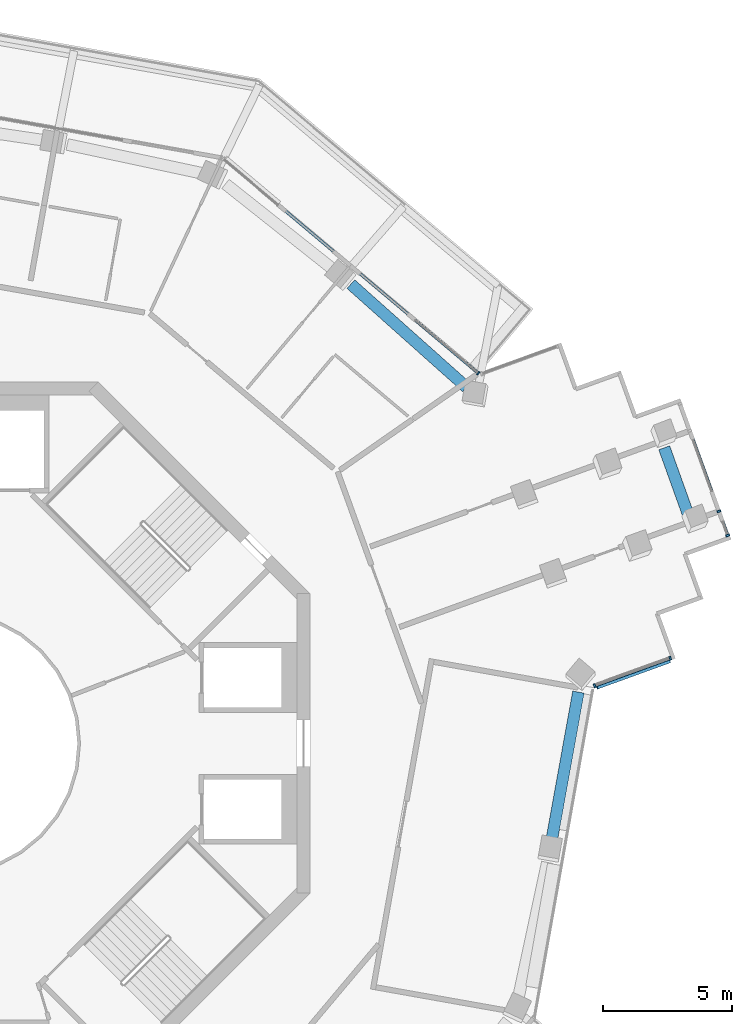
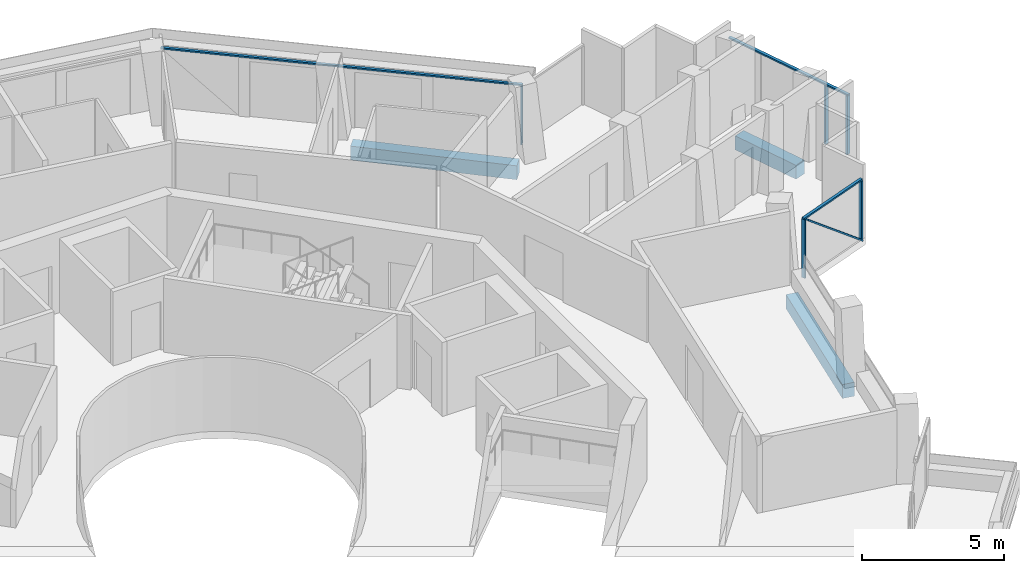
# One storey, part 7 of 22: 9 members, 3 beams, 3 elements without a shape of their own.
"""IFC4 building model written with IfcOpenShell, lengths in metres."""

from ifc_helpers import new_model, si_unit, direction, frame, origin, origin_2d, place, context, subcontext, project, spatial, rectangle, extrude, material, layer, layer_set, material_profile, profile_set, type_object, element, aggregate, save


model = new_model("IFC4")

# Units and contexts
model_context = context("Model", 3, precision=1e-05, world=origin(), true_north=direction((0.0, 1.0)))
body_context = subcontext(model_context, "Body", "Model", "MODEL_VIEW")
ifc_project = project(units=[si_unit("LENGTHUNIT", "METRE"), si_unit("AREAUNIT", "SQUARE_METRE"), si_unit("VOLUMEUNIT", "CUBIC_METRE"), si_unit("PLANEANGLEUNIT", "RADIAN"), si_unit("MASSUNIT", "GRAM", prefix="KILO")], contexts=[model_context])

# Site, building, storey
site_placement = place(None, origin())
site = spatial("IfcSite", under=ifc_project, at=site_placement, CompositionType="ELEMENT")
building_placement = place(site_placement, origin())
building = spatial("IfcBuilding", under=site, at=building_placement, Name="Verdalira Terraces Hotel", CompositionType="ELEMENT")
storey_placement = place(building_placement, frame((0.0, 0.0, 237.5)))
storey = spatial("IfcBuildingStorey", under=building, at=storey_placement, Name="L58", CompositionType="ELEMENT", Elevation=237.5)

# Curtain wall, members
ifc_material_1 = material(Name="Clear glass", Category="glass")
ifc_layer_1 = layer(ifc_material_1, 0.14990234375)
ifc_layer_set_1 = layer_set([ifc_layer_1], Name="CW1 curtain wall")
curtain_wall_type_1 = type_object("IfcCurtainWallType", Name="CW1 curtain wall", PredefinedType="NOTDEFINED", material=ifc_layer_set_1)
curtain_wall_1_placement = place(storey_placement, origin())
curtain_wall_1 = element("IfcCurtainWall", 1, at=curtain_wall_1_placement, inside=storey, type_object=curtain_wall_type_1, Name="CW1 curtain wall L58 edge 39", PredefinedType="NOTDEFINED")
ifc_material_2 = material(Name="Terracotta frame", Category="masonry")
ifc_material_profile_1 = material_profile(ifc_material_2, rectangle(XDim=0.060059, YDim=0.149902, at=origin_2d()), Name="MU 60x150")
ifc_profile_set_1 = profile_set([ifc_material_profile_1], Name="Terracotta frame")
member_type_1 = type_object("IfcMemberType", Name="CW1 mullion 60x150", PredefinedType="MULLION", material=ifc_profile_set_1)
member_1_placement = place(storey_placement, frame((20.520996, 14.338135, 0.0), z_axis=(0.0, 0.0, 1.0), x_axis=(-0.765146196, 0.643856583, 0.0)))
member_1 = element("IfcMember", 2, at=member_1_placement, type_object=member_type_1, Name="CW1 mullion", PredefinedType="MULLION", context=body_context, shape_type="SweptSolid", body=[
    extrude(rectangle(XDim=0.060059, YDim=0.149902, at=origin_2d()), origin(), (0.0, 0.0, 1.0), 2.524902),
])
ifc_material_3 = material(Name="Terracotta frame", Category="masonry")
ifc_material_profile_2 = material_profile(ifc_material_3, rectangle(XDim=0.110107, YDim=0.064941, at=origin_2d()), Name="TR 65x110")
ifc_profile_set_2 = profile_set([ifc_material_profile_2], Name="Terracotta frame")
member_type_2 = type_object("IfcMemberType", Name="CW1 transom 65x110", PredefinedType="USERDEFINED", material=ifc_profile_set_2)
member_2_placement = place(storey_placement, frame((20.543945, 14.318604, 2.557617), z_axis=(-0.765133425, 0.643871759, 0.0), x_axis=(-0.643871759, -0.765133425, 0.0)))
member_2 = element("IfcMember", 3, at=member_2_placement, type_object=member_type_2, Name="CW1 transom", ObjectType="TRANSOM", PredefinedType="USERDEFINED", context=body_context, shape_type="SweptSolid", body=[
    extrude(rectangle(XDim=0.110107, YDim=0.064941, at=origin_2d()), origin(), (0.0, 0.0, 1.0), 12.959961),
])
aggregate(curtain_wall_1, [member_1, member_2])

ifc_material_4 = material(Name="Clear glass", Category="glass")
ifc_layer_2 = layer(ifc_material_4, 0.14990234375)
ifc_layer_set_2 = layer_set([ifc_layer_2], Name="CW2 curtain wall")
curtain_wall_type_2 = type_object("IfcCurtainWallType", Name="CW2 curtain wall", PredefinedType="NOTDEFINED", material=ifc_layer_set_2)
curtain_wall_2_placement = place(storey_placement, origin())
curtain_wall_2 = element("IfcCurtainWall", 4, at=curtain_wall_2_placement, inside=storey, type_object=curtain_wall_type_2, Name="CW2 curtain wall L58 edge 28", PredefinedType="NOTDEFINED")
ifc_material_5 = material(Name="Terracotta frame", Category="masonry")
ifc_material_profile_3 = material_profile(ifc_material_5, rectangle(XDim=0.070068, YDim=0.149902, at=origin_2d()), Name="MU 70x150")
ifc_profile_set_3 = profile_set([ifc_material_profile_3], Name="Terracotta frame")
member_type_3 = type_object("IfcMemberType", Name="CW2 mullion 70x150", PredefinedType="MULLION", material=ifc_profile_set_3)
member_3_placement = place(storey_placement, frame((25.028809, 2.236328, 0.0), z_axis=(0.0, 0.0, 1.0), x_axis=(0.940169255, 0.340707752, 0.0)))
member_3 = element("IfcMember", 5, at=member_3_placement, type_object=member_type_3, Name="CW2 mullion", PredefinedType="MULLION", context=body_context, shape_type="SweptSolid", body=[
    extrude(rectangle(XDim=0.070068, YDim=0.149902, at=origin_2d()), origin(), (0.0, 0.0, 1.0), 2.524902),
])
member_4_placement = place(storey_placement, frame((27.95874, 3.298096, 0.0), z_axis=(0.0, 0.0, 1.0), x_axis=(0.940169255, 0.340707752, 0.0)))
member_4 = element("IfcMember", 6, at=member_4_placement, type_object=member_type_3, Name="CW2 mullion", PredefinedType="MULLION", context=body_context, shape_type="SweptSolid", body=[
    extrude(rectangle(XDim=0.070068, YDim=0.149902, at=origin_2d()), origin(), (0.0, 0.0, 1.0), 2.524902),
])
ifc_material_6 = material(Name="Terracotta frame", Category="masonry")
ifc_material_profile_4 = material_profile(ifc_material_6, rectangle(XDim=0.11499, YDim=0.064941, at=origin_2d()), Name="TR 65x115")
ifc_profile_set_4 = profile_set([ifc_material_profile_4], Name="Terracotta frame")
member_type_4 = type_object("IfcMemberType", Name="CW2 transom 65x115", PredefinedType="USERDEFINED", material=ifc_profile_set_4)
member_5_placement = place(storey_placement, frame((24.996094, 2.224365, 2.557617), z_axis=(0.940157544, 0.340740065, 0.0), x_axis=(-0.340740065, 0.940157544, 0.0)))
member_5 = element("IfcMember", 7, at=member_5_placement, type_object=member_type_4, Name="CW2 transom", ObjectType="TRANSOM", PredefinedType="USERDEFINED", context=body_context, shape_type="SweptSolid", body=[
    extrude(rectangle(XDim=0.11499, YDim=0.064941, at=origin_2d()), origin(), (0.0, 0.0, 1.0), 3.186279),
])

ifc_material_7 = material(Name="Clear glass", Category="glass")
ifc_layer_3 = layer(ifc_material_7, 0.14990234375)
ifc_layer_set_3 = layer_set([ifc_layer_3], Name="CW3 curtain wall")
curtain_wall_type_3 = type_object("IfcCurtainWallType", Name="CW3 curtain wall", PredefinedType="NOTDEFINED", material=ifc_layer_set_3)
curtain_wall_3_placement = place(storey_placement, origin())
curtain_wall_3 = element("IfcCurtainWall", 8, at=curtain_wall_3_placement, inside=storey, type_object=curtain_wall_type_3, Name="CW3 curtain wall L58 edge 33", PredefinedType="NOTDEFINED")
ifc_material_8 = material(Name="Terracotta frame", Category="masonry")
ifc_material_profile_5 = material_profile(ifc_material_8, rectangle(XDim=0.080078, YDim=0.149902, at=origin_2d()), Name="MU 80x150")
ifc_profile_set_5 = profile_set([ifc_material_profile_5], Name="Terracotta frame")
member_type_5 = type_object("IfcMemberType", Name="CW3 mullion 80x150", PredefinedType="MULLION", material=ifc_profile_set_5)
member_6_placement = place(storey_placement, frame((30.180908, 8.054932, 0.0), z_axis=(0.0, 0.0, 1.0), x_axis=(-0.340707752, 0.940169255, 0.0)))
member_6 = element("IfcMember", 9, at=member_6_placement, type_object=member_type_5, Name="CW3 mullion", PredefinedType="MULLION", context=body_context, shape_type="SweptSolid", body=[
    extrude(rectangle(XDim=0.080078, YDim=0.149902, at=origin_2d()), origin(), (0.0, 0.0, 1.0), 2.524902),
])
member_7_placement = place(storey_placement, frame((29.842041, 8.990479, 0.0), z_axis=(0.0, 0.0, 1.0), x_axis=(-0.340707752, 0.940169255, 0.0)))
member_7 = element("IfcMember", 10, at=member_7_placement, type_object=member_type_5, Name="CW3 mullion", PredefinedType="MULLION", context=body_context, shape_type="SweptSolid", body=[
    extrude(rectangle(XDim=0.080078, YDim=0.149902, at=origin_2d()), origin(), (0.0, 0.0, 1.0), 2.524902),
])
ifc_material_9 = material(Name="Terracotta frame", Category="masonry")
ifc_material_profile_6 = material_profile(ifc_material_9, rectangle(XDim=0.120117, YDim=0.064941, at=origin_2d()), Name="TR 65x120")
ifc_profile_set_6 = profile_set([ifc_material_profile_6], Name="Terracotta frame")
member_type_6 = type_object("IfcMemberType", Name="CW3 transom 65x120", PredefinedType="USERDEFINED", material=ifc_profile_set_6)
member_8_placement = place(storey_placement, frame((30.19458, 8.017334, 2.557617), z_axis=(-0.340691427, 0.940175171, 0.0), x_axis=(-0.940175171, -0.340691427, 0.0)))
member_8 = element("IfcMember", 11, at=member_8_placement, type_object=member_type_6, Name="CW3 transom", ObjectType="TRANSOM", PredefinedType="USERDEFINED", context=body_context, shape_type="SweptSolid", body=[
    extrude(rectangle(XDim=0.120117, YDim=0.064941, at=origin_2d()), origin(), (0.0, 0.0, 1.0), 5.5),
])
aggregate(curtain_wall_3, [member_6, member_7, member_8])

# Member
ifc_material_10 = material(Name="Terracotta frame", Category="masonry")
ifc_material_profile_7 = material_profile(ifc_material_10, rectangle(XDim=0.149902, YDim=0.060059, at=origin_2d()), Name="GB 60x150")
ifc_profile_set_7 = profile_set([ifc_material_profile_7], Name="Terracotta frame")
member_type_7 = type_object("IfcMemberType", Name="Diagonal glazing bar 60x150", PredefinedType="USERDEFINED", material=ifc_profile_set_7)
member_9_placement = place(storey_placement, frame((25.120361, 2.172607, 2.500732), z_axis=(0.723836372, 0.262355295, -0.638146226), x_axis=(-0.340758696, 0.940150792, 0.0)))
member_9 = element("IfcMember", 12, at=member_9_placement, type_object=member_type_7, Name="Diagonal glazing bar", ObjectType="GLAZING BAR", PredefinedType="USERDEFINED", context=body_context, shape_type="SweptSolid", body=[
    extrude(rectangle(XDim=0.149902, YDim=0.060059, at=origin_2d()), origin(), (0.0, 0.0, 1.0), 3.880371),
])

aggregate(curtain_wall_2, [member_3, member_4, member_5, member_9])

# Beams
ifc_material_11 = material(Name="Concrete C40", Category="concrete")
ifc_material_profile_8 = material_profile(ifc_material_11, rectangle(XDim=0.449951, YDim=0.600098, at=origin_2d()), Name="RC 450X600")
ifc_profile_set_8 = profile_set([ifc_material_profile_8], Name="Concrete C40")
beam_type = type_object("IfcBeamType", Name="Spandrel beam RC 450X600 C40", PredefinedType="SPANDREL", material=ifc_profile_set_8)
beam_1_placement = place(storey_placement, frame((23.352539, -3.80957, -0.610107), z_axis=(0.177915476, 0.984045773, 0.0), x_axis=(-0.984045773, 0.177915476, 0.0)))
element("IfcBeam", 13, at=beam_1_placement, inside=storey, type_object=beam_type, Name="Spandrel beam B16", PredefinedType="SPANDREL", context=body_context, shape_type="SweptSolid", body=[
    extrude(rectangle(XDim=0.449951, YDim=0.600098, at=origin_2d()), origin(), (0.0, 0.0, 1.0), 5.892334),
])
beam_2_placement = place(storey_placement, frame((28.673096, 8.804688, -0.610107), z_axis=(-0.337931842, 0.941170585, 0.0), x_axis=(-0.941170585, -0.337931842, 0.0)))
element("IfcBeam", 14, at=beam_2_placement, inside=storey, type_object=beam_type, Name="Spandrel beam B17", PredefinedType="SPANDREL", context=body_context, shape_type="SweptSolid", body=[
    extrude(rectangle(XDim=0.449951, YDim=0.600098, at=origin_2d()), origin(), (0.0, 0.0, 1.0), 2.810303),
])
beam_3_placement = place(storey_placement, frame((20.064453, 13.794189, -0.610107), z_axis=(-0.746283415, 0.665628323, 0.0), x_axis=(-0.665628323, -0.746283415, 0.0)))
element("IfcBeam", 15, at=beam_3_placement, inside=storey, type_object=beam_type, Name="Spandrel beam B18", PredefinedType="SPANDREL", context=body_context, shape_type="SweptSolid", body=[
    extrude(rectangle(XDim=0.449951, YDim=0.600098, at=origin_2d()), origin(), (0.0, 0.0, 1.0), 5.999512),
])

save(model, "model.ifc")
